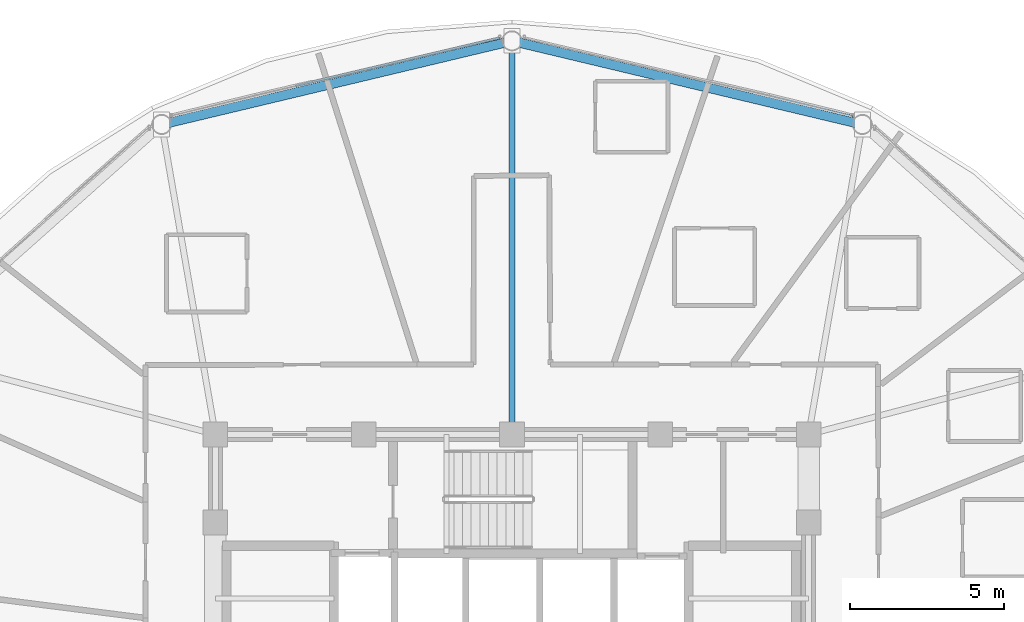
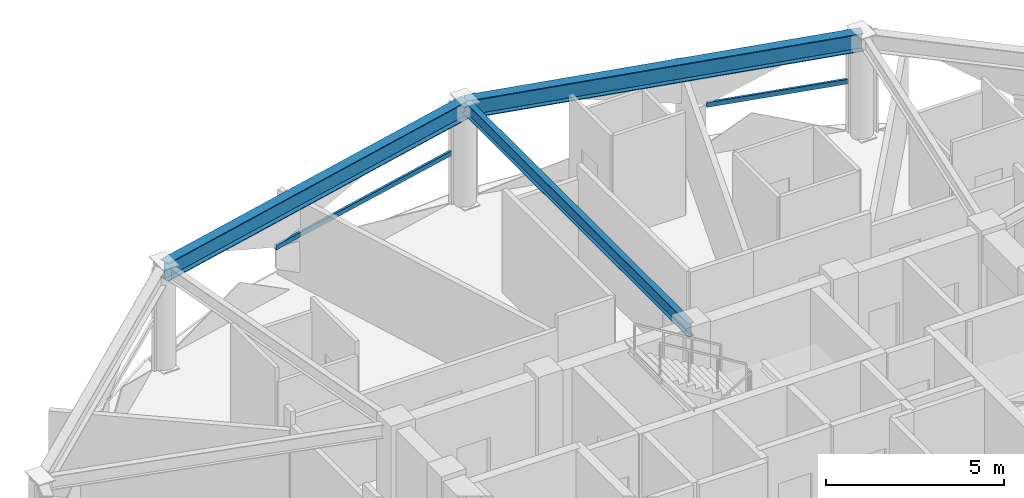
# One storey, part 18 of 30: 3 beams, 2 members, 2 elements without a shape of their own.
"""IFC4 building model written with IfcOpenShell, lengths in metres."""

from ifc_helpers import new_model, si_unit, direction, frame, origin, origin_2d, place, context, subcontext, project, spatial, hollow_rectangle, i_section, extrude, material, layer, layer_set, material_profile, profile_set, type_object, element, aggregate, save


model = new_model("IFC4")

# Units and contexts
model_context = context("Model", 3, precision=1e-05, world=origin(), true_north=direction((0.0, 1.0)))
body_context = subcontext(model_context, "Body", "Model", "MODEL_VIEW")
ifc_project = project(units=[si_unit("LENGTHUNIT", "METRE"), si_unit("AREAUNIT", "SQUARE_METRE"), si_unit("VOLUMEUNIT", "CUBIC_METRE"), si_unit("PLANEANGLEUNIT", "RADIAN"), si_unit("MASSUNIT", "GRAM", prefix="KILO")], contexts=[model_context])

# Site, building, storey
site_placement = place(None, origin())
site = spatial("IfcSite", under=ifc_project, at=site_placement, CompositionType="ELEMENT")
building_placement = place(site_placement, origin())
building = spatial("IfcBuilding", under=site, at=building_placement, Name="Vantalir Tower", CompositionType="ELEMENT")
storey_placement = place(building_placement, frame((0.0, 0.0, 193.64990234375)))
storey = spatial("IfcBuildingStorey", under=building, at=storey_placement, Name="L48", CompositionType="ELEMENT", Elevation=193.64990234375)

# Beams
ifc_material_1 = material(Name="Steel S355", Category="steel")
ifc_material_profile_1 = material_profile(ifc_material_1, i_section(OverallWidth=0.19189453125, OverallDepth=0.462890625, WebThickness=0.010498046875, FlangeThickness=0.017578125, at=origin_2d()), Name="Steel S355")
ifc_profile_set_1 = profile_set([ifc_material_profile_1], Name="Steel S355")
beam_type_1 = type_object("IfcBeamType", Name="BM-RB-457x191", PredefinedType="BEAM", material=ifc_profile_set_1)
beam_placement = place(storey_placement, frame((31.5, 45.18798828125, 3.338134765625), z_axis=(0.0, -1.0, 0.0), x_axis=(1.0, 0.0, 0.0)))
element("IfcBeam", 1, at=beam_placement, inside=storey, type_object=beam_type_1, Name="L48 Radial Floor Beam 04", PredefinedType="BEAM", context=body_context, shape_type="SweptSolid", body=[
    extrude(i_section(OverallWidth=0.19189453125, OverallDepth=0.462890625, WebThickness=0.010498046875, FlangeThickness=0.017578125, at=origin_2d()), origin(), (0.0, 0.0, 1.0), 12.738037109375),
])
ifc_material_2 = material(Name="Steel S460", Category="steel")
ifc_material_profile_2 = material_profile(ifc_material_2, i_section(OverallWidth=0.306884765625, OverallDepth=0.6201171875, WebThickness=0.01416015625, FlangeThickness=0.023681640625, at=origin_2d()), Name="Steel S460")
ifc_profile_set_2 = profile_set([ifc_material_profile_2], Name="Steel S460")
beam_type_2 = type_object("IfcBeamType", Name="BM-RG-610x305", PredefinedType="USERDEFINED", material=ifc_profile_set_2)
for number, where, z_axis, x_axis, name in (
    (2, (42.837890625, 42.48291015625, 3.260009765625), (-0.972698236559, 0.232073567206, 0.0), (-0.232073567206, -0.972698236559, 0.0), "L48 Circumferential Ring Girder 03"),
    (3, (31.5, 45.18798828125, 3.260009765625), (-0.972698236559, -0.232073567206, 0.0), (0.232073567206, -0.972698236559, 0.0), "L48 Circumferential Ring Girder 04"),
):
    element("IfcBeam", number, at=place(storey_placement, frame(where, z_axis=z_axis, x_axis=x_axis)), inside=storey, type_object=beam_type_2, Name=name, ObjectType="GIRDER", PredefinedType="USERDEFINED", context=body_context, shape_type="SweptSolid", body=[
        extrude(i_section(OverallWidth=0.306884765625, OverallDepth=0.6201171875, WebThickness=0.01416015625, FlangeThickness=0.023681640625, at=origin_2d()), origin(), (0.0, 0.0, 1.0), 11.656005859375),
    ])

# Curtain wall, member
ifc_material_3 = material(Name="Champagne-silver PVDF aluminium and double-silver Low-E glass", Category="aluminium")
ifc_layer = layer(ifc_material_3, 0.2099609375)
ifc_layer_set = layer_set([ifc_layer], Name="Champagne-silver PVDF aluminium and double-silver Low-E glass")
curtain_wall_type = type_object("IfcCurtainWallType", Name="CW-DIAMOND-Z3", PredefinedType="USERDEFINED", material=ifc_layer_set)
curtain_wall_1_placement = place(storey_placement, origin())
curtain_wall_1 = element("IfcCurtainWall", 4, at=curtain_wall_1_placement, inside=storey, type_object=curtain_wall_type, Name="L48 Quilted Pyramid-Diamond Curtain Wall S03", ObjectType="UNITISED CURTAIN WALL", PredefinedType="USERDEFINED")
ifc_material_4 = material(Name="Champagne-silver PVDF aluminium 6063-T6", Category="aluminium")
ifc_material_profile_3 = material_profile(ifc_material_4, hollow_rectangle(XDim=0.074951171875, YDim=0.159912109375, WallThickness=0.00390625, at=origin_2d()), Name="Champagne-silver PVDF aluminium 6063-T6")
ifc_profile_set_3 = profile_set([ifc_material_profile_3], Name="Champagne-silver PVDF aluminium 6063-T6")
member_type = type_object("IfcMemberType", Name="CWT-160x75", PredefinedType="USERDEFINED", material=ifc_profile_set_3)
member_1_placement = place(storey_placement, frame((42.533935546875, 42.742919921875, 1.78515625), z_axis=(-0.971276515079, 0.237953632576, 0.0), x_axis=(-0.237953632576, -0.971276515079, 0.0)))
member_1 = element("IfcMember", 5, at=member_1_placement, type_object=member_type, Name="CW-L48-S03 Pyramid Fold Ridge Transom", ObjectType="TRANSOM", PredefinedType="USERDEFINED", context=body_context, shape_type="SweptSolid", body=[
    extrude(hollow_rectangle(XDim=0.074951171875, YDim=0.159912109375, WallThickness=0.00390625, at=origin_2d()), origin(), (0.0, 0.0, 1.0), 4.15234375),
])
aggregate(curtain_wall_1, [member_1])

curtain_wall_2_placement = place(storey_placement, origin())
curtain_wall_2 = element("IfcCurtainWall", 6, at=curtain_wall_2_placement, inside=storey, type_object=curtain_wall_type, Name="L48 Quilted Pyramid-Diamond Curtain Wall S04", ObjectType="UNITISED CURTAIN WALL", PredefinedType="USERDEFINED")
member_2_placement = place(storey_placement, frame((31.10107421875, 45.282958984375, 1.78515625), z_axis=(-0.97346388674, -0.228840689594, 0.0), x_axis=(0.228840689594, -0.97346388674, 0.0)))
member_2 = element("IfcMember", 7, at=member_2_placement, type_object=member_type, Name="CW-L48-S04 Pyramid Fold Ridge Transom", ObjectType="TRANSOM", PredefinedType="USERDEFINED", context=body_context, shape_type="SweptSolid", body=[
    extrude(hollow_rectangle(XDim=0.074951171875, YDim=0.159912109375, WallThickness=0.00390625, at=origin_2d()), origin(), (0.0, 0.0, 1.0), 6.781982421875),
])
aggregate(curtain_wall_2, [member_2])

save(model, "model.ifc")
